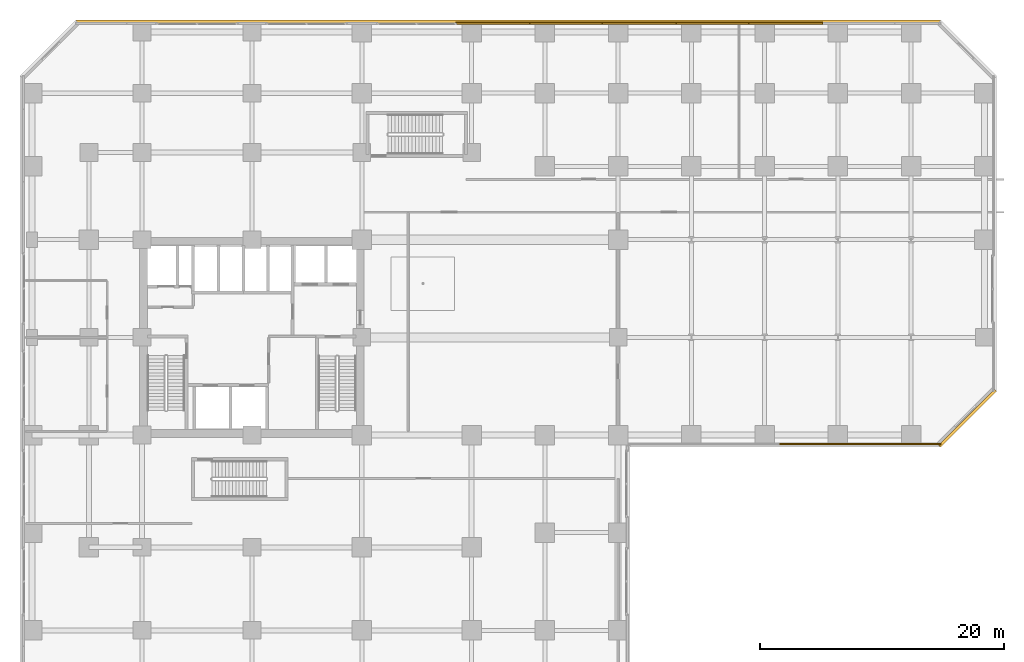
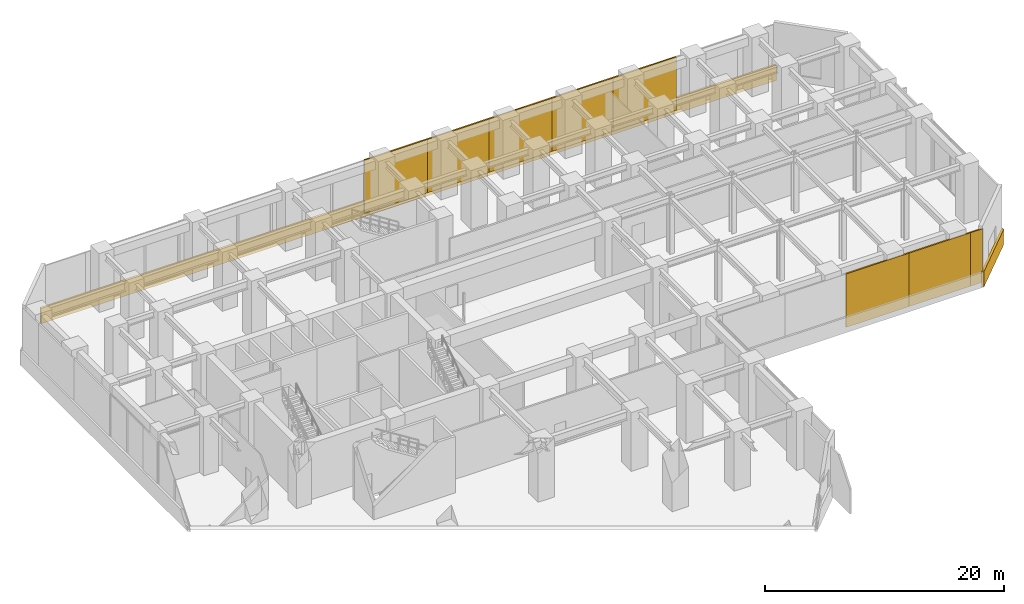
# One storey, part 33 of 34: 10 coverings.
"""IFC4 building model written with IfcOpenShell, lengths in metres."""

from ifc_helpers import new_model, si_unit, direction, frame, origin, origin_2d, place, context, subcontext, project, spatial, rectangle, extrude, source, transform, mapped, material, layer, layer_set, type_object, element, save


model = new_model("IFC4")

# Units and contexts
model_context = context("Model", 3, precision=1e-05, world=origin(), true_north=direction((0.0, 1.0)))
body_context = subcontext(model_context, "Body", "Model", "MODEL_VIEW")
ifc_project = project(units=[si_unit("LENGTHUNIT", "METRE"), si_unit("AREAUNIT", "SQUARE_METRE"), si_unit("VOLUMEUNIT", "CUBIC_METRE"), si_unit("PLANEANGLEUNIT", "RADIAN"), si_unit("MASSUNIT", "GRAM", prefix="KILO")], contexts=[model_context])

# Site, building, storey
site_placement = place(None, origin())
site = spatial("IfcSite", under=ifc_project, at=site_placement, CompositionType="ELEMENT")
building_placement = place(site_placement, origin())
building = spatial("IfcBuilding", under=site, at=building_placement, Name="Torre Montelarca", CompositionType="ELEMENT")
storey_placement = place(building_placement, frame((0.0, 0.0, 6.0)))
storey = spatial("IfcBuildingStorey", under=building, at=storey_placement, Name="L02", CompositionType="ELEMENT", Elevation=6.0)

# Coverings
ifc_material = material(Name="Bush-hammered warm white precast concrete C45/55", Category="concrete")
ifc_layer = layer(ifc_material, 0.139892578125, Name="Bush-hammered warm white precast concrete C45/55", Category="concrete")
ifc_layer_set = layer_set([ifc_layer], Name="Bush-hammered warm white precast concrete C45/55")
covering_type = type_object("IfcCoveringType", Name="COV-TRAY-CLAD", PredefinedType="CLADDING", material=ifc_layer_set)
shared_shape_1 = source(origin(), body_context, "Body", "SweptSolid", [
    extrude(rectangle(XDim=6.080078125, YDim=0.139892578125, at=origin_2d()), origin(), (0.0, 0.0, 1.0), 5.449951171875),
])
for number, where, z_axis, x_axis, name in (
    (1, (64.280029296875, 23.260009765625, 0.0), (0.0, 0.0, 1.0), (1.0, 0.0, 0.0), "L02 Architectural Column Pier Cladding E04-4"),
    (2, (70.280029296875, 23.260009765625, 0.0), (0.0, 0.0, 1.0), (1.0, 0.0, 0.0), "L02 Architectural Column Pier Cladding E04-5"),
    (3, (61.719970703125, 57.739990234375, 0.0), (0.0, 0.0, 1.0), (-1.0, 0.0, 0.0), "L02 Architectural Column Pier Cladding E08-4"),
    (4, (55.719970703125, 57.739990234375, 0.0), (0.0, 0.0, 1.0), (-1.0, 0.0, 0.0), "L02 Architectural Column Pier Cladding E08-5"),
    (5, (49.719970703125, 57.739990234375, 0.0), (0.0, 0.0, 1.0), (-1.0, 0.0, 0.0), "L02 Architectural Column Pier Cladding E08-6"),
    (6, (43.719970703125, 57.739990234375, 0.0), (0.0, 0.0, 1.0), (-1.0, 0.0, 0.0), "L02 Architectural Column Pier Cladding E08-7"),
    (7, (37.719970703125, 57.739990234375, 0.0), (0.0, 0.0, 1.0), (-1.0, 0.0, 0.0), "L02 Architectural Column Pier Cladding E08-8"),
):
    element("IfcCovering", number, at=place(storey_placement, frame(where, z_axis=z_axis, x_axis=x_axis)), inside=storey, type_object=covering_type, Name=name, PredefinedType="CLADDING", context=body_context, shape_type="MappedRepresentation", body=[
        mapped(shared_shape_1, transform((0.0, 0.0, 0.0), scale=1.0)),
    ])
shared_shape_2 = source(origin(), body_context, "Body", "SweptSolid", [
    extrude(rectangle(XDim=1.199951171875, YDim=0.139892578125, at=origin_2d()), origin(), (0.0, 0.0, 1.0), 5.449951171875),
])
covering_1_placement = place(storey_placement, frame((73.840087890625, 23.260009765625, 0.0), z_axis=(0.0, 0.0, 1.0), x_axis=(1.0, 0.0, 0.0)))
element("IfcCovering", 8, at=covering_1_placement, inside=storey, type_object=covering_type, Name="L02 Architectural Column Pier Cladding E04-6", PredefinedType="CLADDING", context=body_context, shape_type="MappedRepresentation", body=[
    mapped(shared_shape_2, transform((0.0, 0.0, 0.0), scale=1.0)),
])
shared_shape_3 = source(origin(), body_context, "Body", "SweptSolid", [
    extrude(rectangle(XDim=6.48388671875, YDim=0.219970703125, at=origin_2d()), origin(), (0.0, 0.0, 1.0), 1.56005859375),
])
covering_2_placement = place(storey_placement, frame((76.62890625, 25.37109375, -0.400146484375), z_axis=(0.0, 0.0, 1.0), x_axis=(0.707106781187, 0.707106781187, 0.0)))
element("IfcCovering", 9, at=covering_2_placement, inside=storey, type_object=covering_type, Name="L02 Architectural White Spandrel Tray Band PODBOT-05", PredefinedType="CLADDING", context=body_context, shape_type="MappedRepresentation", body=[
    mapped(shared_shape_3, transform((0.0, 0.0, 0.0), scale=1.0)),
])
shared_shape_4 = source(origin(), body_context, "Body", "SweptSolid", [
    extrude(rectangle(XDim=70.919921875, YDim=0.219970703125, at=origin_2d()), origin(), (0.0, 0.0, 1.0), 1.56005859375),
])
covering_3_placement = place(storey_placement, frame((39.0, 57.8701171875, -0.400146484375), z_axis=(0.0, 0.0, 1.0), x_axis=(-1.0, 0.0, 0.0)))
element("IfcCovering", 10, at=covering_3_placement, inside=storey, type_object=covering_type, Name="L02 Architectural White Spandrel Tray Band PODBOT-08", PredefinedType="CLADDING", context=body_context, shape_type="MappedRepresentation", body=[
    mapped(shared_shape_4, transform((0.0, 0.0, 0.0), scale=1.0)),
])

save(model, "model.ifc")
